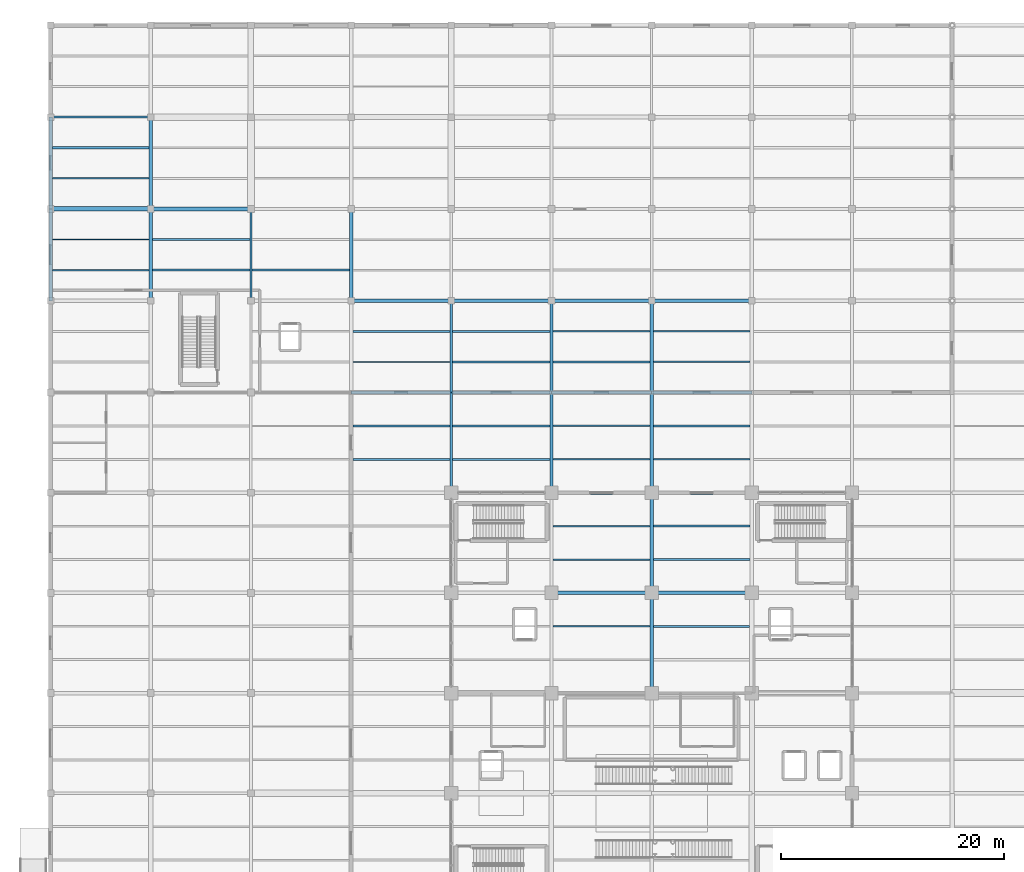
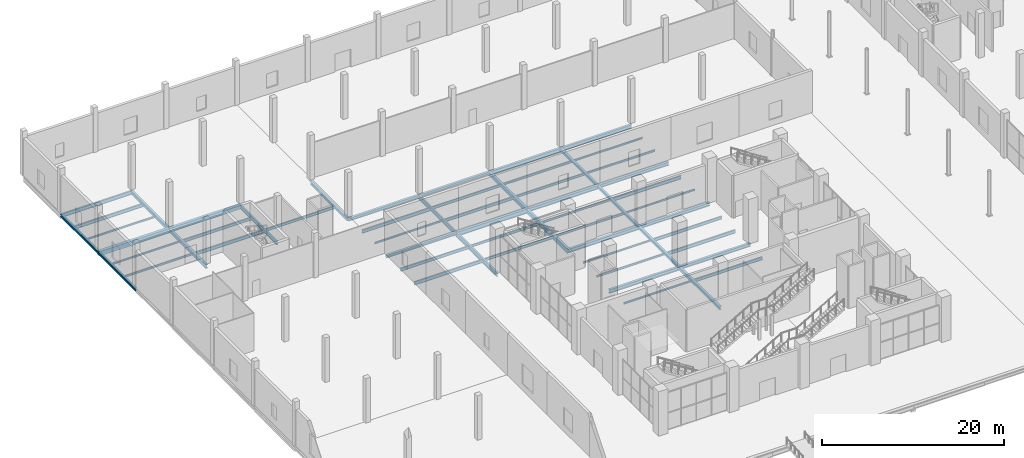
# One storey, part 59 of 144: 58 beams.
"""IFC4 building model written with IfcOpenShell, lengths in metres."""

from ifc_helpers import new_model, si_unit, direction, frame, origin, origin_2d, place, context, subcontext, project, spatial, rectangle, i_section, extrude, material, material_profile, profile_set, type_object, element, save


model = new_model("IFC4")

# Units and contexts
model_context = context("Model", 3, precision=1e-05, world=origin(), true_north=direction((0.0, 1.0)))
body_context = subcontext(model_context, "Body", "Model", "MODEL_VIEW")
ifc_project = project(units=[si_unit("LENGTHUNIT", "METRE"), si_unit("AREAUNIT", "SQUARE_METRE"), si_unit("VOLUMEUNIT", "CUBIC_METRE"), si_unit("PLANEANGLEUNIT", "RADIAN"), si_unit("MASSUNIT", "GRAM", prefix="KILO")], contexts=[model_context])

# Site, building, storey
site_placement = place(None, origin())
site = spatial("IfcSite", under=ifc_project, at=site_placement, CompositionType="ELEMENT")
building_placement = place(site_placement, origin())
building = spatial("IfcBuilding", under=site, at=building_placement, Name="Sundgate Opera House", CompositionType="ELEMENT")
storey_placement = place(building_placement, origin())
storey = spatial("IfcBuildingStorey", under=building, at=storey_placement, Name="L00", CompositionType="ELEMENT", Elevation=0.0)

# Beams
ifc_material_1 = material(Name="Steel S355J2", Category="steel")
ifc_material_profile_1 = material_profile(ifc_material_1, i_section(OverallWidth=0.300048828125, OverallDepth=0.330078125, WebThickness=0.009521484375, FlangeThickness=0.0166015625, at=origin_2d()), Name="HEA 340")
ifc_profile_set_1 = profile_set([ifc_material_profile_1], Name="Steel S355J2")
beam_type_1 = type_object("IfcBeamType", Name="BM-GR-HEA340", PredefinedType="BEAM", material=ifc_profile_set_1)
for number, where, z_axis, x_axis, name in (
    (1, (0.0, 103.5, -0.485107421875), (0.0, 1.0, 0.0), (-1.0, 0.0, 0.0), "L00 Primary N-S Girder B0072"),
    (2, (54.0, 87.0, -0.485107421875), (0.0, 1.0, 0.0), (-1.0, 0.0, 0.0), "L00 Primary N-S Girder B0138"),
):
    element("IfcBeam", number, at=place(storey_placement, frame(where, z_axis=z_axis, x_axis=x_axis)), inside=storey, type_object=beam_type_1, Name=name, PredefinedType="BEAM", context=body_context, shape_type="SweptSolid", body=[
        extrude(i_section(OverallWidth=0.300048828125, OverallDepth=0.330078125, WebThickness=0.009521484375, FlangeThickness=0.0166015625, at=origin_2d()), origin(), (0.0, 0.0, 1.0), 8.25),
    ])
ifc_material_2 = material(Name="Steel S355J2", Category="steel")
ifc_material_profile_2 = material_profile(ifc_material_2, i_section(OverallWidth=0.300048828125, OverallDepth=0.35009765625, WebThickness=0.010009765625, FlangeThickness=0.017578125, at=origin_2d()), Name="HEA 360")
ifc_profile_set_2 = profile_set([ifc_material_profile_2], Name="Steel S355J2")
beam_type_2 = type_object("IfcBeamType", Name="BM-GR-HEA360", PredefinedType="BEAM", material=ifc_profile_set_2)
beam_1_placement = place(storey_placement, frame((0.0, 95.25, -0.4951171875), z_axis=(0.0, 1.0, 0.0), x_axis=(-1.0, 0.0, 0.0)))
element("IfcBeam", 3, at=beam_1_placement, inside=storey, type_object=beam_type_2, Name="L00 Primary N-S Girder B0071", PredefinedType="BEAM", context=body_context, shape_type="SweptSolid", body=[
    extrude(i_section(OverallWidth=0.300048828125, OverallDepth=0.35009765625, WebThickness=0.010009765625, FlangeThickness=0.017578125, at=origin_2d()), origin(), (0.0, 0.0, 1.0), 8.25),
])
beam_2_placement = place(storey_placement, frame((54.0, 78.0, -0.4951171875), z_axis=(0.0, 1.0, 0.0), x_axis=(-1.0, 0.0, 0.0)))
element("IfcBeam", 4, at=beam_2_placement, inside=storey, type_object=beam_type_2, Name="L00 Primary N-S Girder B0137", PredefinedType="BEAM", context=body_context, shape_type="SweptSolid", body=[
    extrude(i_section(OverallWidth=0.300048828125, OverallDepth=0.35009765625, WebThickness=0.010009765625, FlangeThickness=0.017578125, at=origin_2d()), origin(), (0.0, 0.0, 1.0), 9.0),
])
ifc_material_3 = material(Name="Steel S355J2", Category="steel")
ifc_material_profile_3 = material_profile(ifc_material_3, i_section(OverallWidth=0.300048828125, OverallDepth=0.389892578125, WebThickness=0.010986328125, FlangeThickness=0.01904296875, at=origin_2d()), Name="HEA 400")
ifc_profile_set_3 = profile_set([ifc_material_profile_3], Name="Steel S355J2")
beam_type_3 = type_object("IfcBeamType", Name="BM-GR-HEA400", PredefinedType="BEAM", material=ifc_profile_set_3)
beam_3_placement = place(storey_placement, frame((54.0, 69.0, -0.514892578125), z_axis=(0.0, 1.0, 0.0), x_axis=(-1.0, 0.0, 0.0)))
element("IfcBeam", 5, at=beam_3_placement, inside=storey, type_object=beam_type_3, Name="L00 Primary N-S Girder B0136", PredefinedType="BEAM", context=body_context, shape_type="SweptSolid", body=[
    extrude(i_section(OverallWidth=0.300048828125, OverallDepth=0.389892578125, WebThickness=0.010986328125, FlangeThickness=0.01904296875, at=origin_2d()), origin(), (0.0, 0.0, 1.0), 9.0),
])
ifc_material_4 = material(Name="Steel S355J2", Category="steel")
ifc_material_profile_4 = material_profile(ifc_material_4, i_section(OverallWidth=0.300048828125, OverallDepth=0.43994140625, WebThickness=0.011474609375, FlangeThickness=0.02099609375, at=origin_2d()), Name="HEA 450")
ifc_profile_set_4 = profile_set([ifc_material_profile_4], Name="Steel S355J2")
beam_type_4 = type_object("IfcBeamType", Name="BM-GR-HEA450", PredefinedType="BEAM", material=ifc_profile_set_4)
for number, where, z_axis, x_axis, name in (
    (6, (54.0, 60.0, -0.5400390625), (0.0, 1.0, 0.0), (-1.0, 0.0, 0.0), "L00 Primary N-S Girder B0135"),
    (7, (54.0, 69.0, -0.5400390625), (1.0, 0.0, 0.0), (0.0, 1.0, 0.0), "L00 Primary E-W Girder B0464"),
    (8, (54.0, 78.0, -0.5400390625), (1.0, 0.0, 0.0), (0.0, 1.0, 0.0), "L00 Primary E-W Girder B0486"),
    (9, (54.0, 87.0, -0.5400390625), (1.0, 0.0, 0.0), (0.0, 1.0, 0.0), "L00 Primary E-W Girder B0508"),
):
    element("IfcBeam", number, at=place(storey_placement, frame(where, z_axis=z_axis, x_axis=x_axis)), inside=storey, type_object=beam_type_4, Name=name, PredefinedType="BEAM", context=body_context, shape_type="SweptSolid", body=[
        extrude(i_section(OverallWidth=0.300048828125, OverallDepth=0.43994140625, WebThickness=0.011474609375, FlangeThickness=0.02099609375, at=origin_2d()), origin(), (0.0, 0.0, 1.0), 9.0),
    ])
ifc_material_5 = material(Name="Steel S355J2", Category="steel")
ifc_material_profile_5 = material_profile(ifc_material_5, i_section(OverallWidth=0.300048828125, OverallDepth=0.489990234375, WebThickness=0.011962890625, FlangeThickness=0.02294921875, at=origin_2d()), Name="HEA 500")
ifc_profile_set_5 = profile_set([ifc_material_profile_5], Name="Steel S355J2")
beam_type_5 = type_object("IfcBeamType", Name="BM-GR-HEA500", PredefinedType="BEAM", material=ifc_profile_set_5)
for number, where, z_axis, x_axis, name in (
    (10, (45.0, 69.0, -0.56494140625), (1.0, 0.0, 0.0), (0.0, 1.0, 0.0), "L00 Primary E-W Girder B0463"),
    (11, (45.0, 78.0, -0.56494140625), (1.0, 0.0, 0.0), (0.0, 1.0, 0.0), "L00 Primary E-W Girder B0485"),
    (12, (45.0, 87.0, -0.56494140625), (1.0, 0.0, 0.0), (0.0, 1.0, 0.0), "L00 Primary E-W Girder B0507"),
    (13, (54.0, 95.25, -0.56494140625), (1.0, 0.0, 0.0), (0.0, 1.0, 0.0), "L00 Primary E-W Girder B0529"),
):
    element("IfcBeam", number, at=place(storey_placement, frame(where, z_axis=z_axis, x_axis=x_axis)), inside=storey, type_object=beam_type_5, Name=name, PredefinedType="BEAM", context=body_context, shape_type="SweptSolid", body=[
        extrude(i_section(OverallWidth=0.300048828125, OverallDepth=0.489990234375, WebThickness=0.011962890625, FlangeThickness=0.02294921875, at=origin_2d()), origin(), (0.0, 0.0, 1.0), 9.0),
    ])
ifc_material_6 = material(Name="Steel S355J2", Category="steel")
ifc_material_profile_6 = material_profile(ifc_material_6, i_section(OverallWidth=0.300048828125, OverallDepth=0.590087890625, WebThickness=0.012939453125, FlangeThickness=0.02490234375, at=origin_2d()), Name="HEA 600")
ifc_profile_set_6 = profile_set([ifc_material_profile_6], Name="Steel S355J2")
beam_type_6 = type_object("IfcBeamType", Name="BM-GR-HEA600", PredefinedType="BEAM", material=ifc_profile_set_6)
for number, where, z_axis, x_axis, name in (
    (14, (36.0, 87.0, -0.614990234375), (1.0, 0.0, 0.0), (0.0, 1.0, 0.0), "L00 Primary E-W Girder B0506"),
    (15, (45.0, 95.25, -0.614990234375), (1.0, 0.0, 0.0), (0.0, 1.0, 0.0), "L00 Primary E-W Girder B0528"),
):
    element("IfcBeam", number, at=place(storey_placement, frame(where, z_axis=z_axis, x_axis=x_axis)), inside=storey, type_object=beam_type_6, Name=name, PredefinedType="BEAM", context=body_context, shape_type="SweptSolid", body=[
        extrude(i_section(OverallWidth=0.300048828125, OverallDepth=0.590087890625, WebThickness=0.012939453125, FlangeThickness=0.02490234375, at=origin_2d()), origin(), (0.0, 0.0, 1.0), 9.0),
    ])
ifc_material_7 = material(Name="Steel S355J2", Category="steel")
ifc_material_profile_7 = material_profile(ifc_material_7, i_section(OverallWidth=0.300048828125, OverallDepth=0.360107421875, WebThickness=0.012451171875, FlangeThickness=0.0224609375, at=origin_2d()), Name="HEB 360")
ifc_profile_set_7 = profile_set([ifc_material_profile_7], Name="Steel S355J2")
beam_type_7 = type_object("IfcBeamType", Name="BM-GR-HEB360", PredefinedType="BEAM", material=ifc_profile_set_7)
for number, where, z_axis, x_axis, name in (
    (16, (27.0, 87.0, -0.5), (1.0, 0.0, 0.0), (0.0, 1.0, 0.0), "L00 Primary E-W Girder B0505"),
    (17, (36.0, 95.25, -0.5), (1.0, 0.0, 0.0), (0.0, 1.0, 0.0), "L00 Primary E-W Girder B0527"),
):
    element("IfcBeam", number, at=place(storey_placement, frame(where, z_axis=z_axis, x_axis=x_axis)), inside=storey, type_object=beam_type_7, Name=name, PredefinedType="BEAM", context=body_context, shape_type="SweptSolid", body=[
        extrude(i_section(OverallWidth=0.300048828125, OverallDepth=0.360107421875, WebThickness=0.012451171875, FlangeThickness=0.0224609375, at=origin_2d()), origin(), (0.0, 0.0, 1.0), 9.0),
    ])
ifc_material_8 = material(Name="Steel S355J2", Category="steel")
ifc_material_profile_8 = material_profile(ifc_material_8, i_section(OverallWidth=0.300048828125, OverallDepth=0.39990234375, WebThickness=0.013427734375, FlangeThickness=0.02392578125, at=origin_2d()), Name="HEB 400")
ifc_profile_set_8 = profile_set([ifc_material_profile_8], Name="Steel S355J2")
beam_type_8 = type_object("IfcBeamType", Name="BM-GR-HEB400", PredefinedType="BEAM", material=ifc_profile_set_8)
beam_4_placement = place(storey_placement, frame((27.0, 95.25, -0.52001953125), z_axis=(0.0, 1.0, 0.0), x_axis=(-1.0, 0.0, 0.0)))
element("IfcBeam", 18, at=beam_4_placement, inside=storey, type_object=beam_type_8, Name="L00 Primary N-S Girder B0109", PredefinedType="BEAM", context=body_context, shape_type="SweptSolid", body=[
    extrude(i_section(OverallWidth=0.300048828125, OverallDepth=0.39990234375, WebThickness=0.013427734375, FlangeThickness=0.02392578125, at=origin_2d()), origin(), (0.0, 0.0, 1.0), 8.25),
])
beam_5_placement = place(storey_placement, frame((27.0, 95.25, -0.52001953125), z_axis=(1.0, 0.0, 0.0), x_axis=(0.0, 1.0, 0.0)))
element("IfcBeam", 19, at=beam_5_placement, inside=storey, type_object=beam_type_8, Name="L00 Primary E-W Girder B0526", PredefinedType="BEAM", context=body_context, shape_type="SweptSolid", body=[
    extrude(i_section(OverallWidth=0.300048828125, OverallDepth=0.39990234375, WebThickness=0.013427734375, FlangeThickness=0.02392578125, at=origin_2d()), origin(), (0.0, 0.0, 1.0), 9.0),
])
ifc_material_9 = material(Name="Steel S355J2", Category="steel")
ifc_material_profile_9 = material_profile(ifc_material_9, i_section(OverallWidth=0.300048828125, OverallDepth=0.449951171875, WebThickness=0.013916015625, FlangeThickness=0.02587890625, at=origin_2d()), Name="HEB 450")
ifc_profile_set_9 = profile_set([ifc_material_profile_9], Name="Steel S355J2")
beam_type_9 = type_object("IfcBeamType", Name="BM-GR-HEB450", PredefinedType="BEAM", material=ifc_profile_set_9)
beam_6_placement = place(storey_placement, frame((9.0, 103.5, -0.544921875), z_axis=(0.0, 1.0, 0.0), x_axis=(-1.0, 0.0, 0.0)))
element("IfcBeam", 20, at=beam_6_placement, inside=storey, type_object=beam_type_9, Name="L00 Primary N-S Girder B0086", PredefinedType="BEAM", context=body_context, shape_type="SweptSolid", body=[
    extrude(i_section(OverallWidth=0.300048828125, OverallDepth=0.449951171875, WebThickness=0.013916015625, FlangeThickness=0.02587890625, at=origin_2d()), origin(), (0.0, 0.0, 1.0), 8.25),
])
ifc_material_10 = material(Name="Steel S355J2", Category="steel")
ifc_material_profile_10 = material_profile(ifc_material_10, i_section(OverallWidth=0.300048828125, OverallDepth=0.5, WebThickness=0.014404296875, FlangeThickness=0.028076171875, at=origin_2d()), Name="HEB 500")
ifc_profile_set_10 = profile_set([ifc_material_profile_10], Name="Steel S355J2")
beam_type_10 = type_object("IfcBeamType", Name="BM-GR-HEB500", PredefinedType="BEAM", material=ifc_profile_set_10)
beam_7_placement = place(storey_placement, frame((9.0, 95.25, -0.570068359375), z_axis=(0.0, 1.0, 0.0), x_axis=(-1.0, 0.0, 0.0)))
element("IfcBeam", 21, at=beam_7_placement, inside=storey, type_object=beam_type_10, Name="L00 Primary N-S Girder B0085", PredefinedType="BEAM", context=body_context, shape_type="SweptSolid", body=[
    extrude(i_section(OverallWidth=0.300048828125, OverallDepth=0.5, WebThickness=0.014404296875, FlangeThickness=0.028076171875, at=origin_2d()), origin(), (0.0, 0.0, 1.0), 8.25),
])
ifc_material_11 = material(Name="Steel S355J2", Category="steel")
ifc_material_profile_11 = material_profile(ifc_material_11, i_section(OverallWidth=0.300048828125, OverallDepth=0.550048828125, WebThickness=0.014892578125, FlangeThickness=0.029052734375, at=origin_2d()), Name="HEB 550")
ifc_profile_set_11 = profile_set([ifc_material_profile_11], Name="Steel S355J2")
beam_type_11 = type_object("IfcBeamType", Name="BM-GR-HEB550", PredefinedType="BEAM", material=ifc_profile_set_11)
beam_8_placement = place(storey_placement, frame((45.0, 87.0, -0.594970703125), z_axis=(0.0, 1.0, 0.0), x_axis=(-1.0, 0.0, 0.0)))
element("IfcBeam", 22, at=beam_8_placement, inside=storey, type_object=beam_type_11, Name="L00 Primary N-S Girder B0128", PredefinedType="BEAM", context=body_context, shape_type="SweptSolid", body=[
    extrude(i_section(OverallWidth=0.300048828125, OverallDepth=0.550048828125, WebThickness=0.014892578125, FlangeThickness=0.029052734375, at=origin_2d()), origin(), (0.0, 0.0, 1.0), 8.25),
])
ifc_material_12 = material(Name="Steel S355J2", Category="steel")
ifc_material_profile_12 = material_profile(ifc_material_12, i_section(OverallWidth=0.300048828125, OverallDepth=0.60009765625, WebThickness=0.015380859375, FlangeThickness=0.030029296875, at=origin_2d()), Name="HEB 600")
ifc_profile_set_12 = profile_set([ifc_material_profile_12], Name="Steel S355J2")
beam_type_12 = type_object("IfcBeamType", Name="BM-GR-HEB600", PredefinedType="BEAM", material=ifc_profile_set_12)
beam_9_placement = place(storey_placement, frame((45.0, 78.0, -0.6201171875), z_axis=(0.0, 1.0, 0.0), x_axis=(-1.0, 0.0, 0.0)))
element("IfcBeam", 23, at=beam_9_placement, inside=storey, type_object=beam_type_12, Name="L00 Primary N-S Girder B0127", PredefinedType="BEAM", context=body_context, shape_type="SweptSolid", body=[
    extrude(i_section(OverallWidth=0.300048828125, OverallDepth=0.60009765625, WebThickness=0.015380859375, FlangeThickness=0.030029296875, at=origin_2d()), origin(), (0.0, 0.0, 1.0), 9.0),
])
ifc_material_13 = material(Name="Steel S355J2", Category="steel")
ifc_material_profile_13 = material_profile(ifc_material_13, i_section(OverallWidth=0.199951171875, OverallDepth=0.5, WebThickness=0.01025390625, FlangeThickness=0.01611328125, at=origin_2d()), Name="IPE 500")
ifc_profile_set_13 = profile_set([ifc_material_profile_13], Name="Steel S355J2")
beam_type_13 = type_object("IfcBeamType", Name="BM-GR-IPE500", PredefinedType="BEAM", material=ifc_profile_set_13)
beam_10_placement = place(storey_placement, frame((18.0, 95.25, -0.570068359375), z_axis=(0.0, 1.0, 0.0), x_axis=(-1.0, 0.0, 0.0)))
element("IfcBeam", 24, at=beam_10_placement, inside=storey, type_object=beam_type_13, Name="L00 Primary N-S Girder B0097", PredefinedType="BEAM", context=body_context, shape_type="SweptSolid", body=[
    extrude(i_section(OverallWidth=0.199951171875, OverallDepth=0.5, WebThickness=0.01025390625, FlangeThickness=0.01611328125, at=origin_2d()), origin(), (0.0, 0.0, 1.0), 8.25),
])
beam_11_placement = place(storey_placement, frame((0.0, 111.75, -0.570068359375), z_axis=(1.0, 0.0, 0.0), x_axis=(0.0, 1.0, 0.0)))
element("IfcBeam", 25, at=beam_11_placement, inside=storey, type_object=beam_type_13, Name="L00 Primary E-W Girder B0558", PredefinedType="BEAM", context=body_context, shape_type="SweptSolid", body=[
    extrude(i_section(OverallWidth=0.199951171875, OverallDepth=0.5, WebThickness=0.01025390625, FlangeThickness=0.01611328125, at=origin_2d()), origin(), (0.0, 0.0, 1.0), 9.0),
])
ifc_material_14 = material(Name="Steel S355J2", Category="steel")
ifc_material_profile_14 = material_profile(ifc_material_14, i_section(OverallWidth=0.2099609375, OverallDepth=0.550048828125, WebThickness=0.010986328125, FlangeThickness=0.01708984375, at=origin_2d()), Name="IPE 550")
ifc_profile_set_14 = profile_set([ifc_material_profile_14], Name="Steel S355J2")
beam_type_14 = type_object("IfcBeamType", Name="BM-GR-IPE550", PredefinedType="BEAM", material=ifc_profile_set_14)
beam_12_placement = place(storey_placement, frame((36.0, 87.0, -0.594970703125), z_axis=(0.0, 1.0, 0.0), x_axis=(-1.0, 0.0, 0.0)))
element("IfcBeam", 26, at=beam_12_placement, inside=storey, type_object=beam_type_14, Name="L00 Primary N-S Girder B0118", PredefinedType="BEAM", context=body_context, shape_type="SweptSolid", body=[
    extrude(i_section(OverallWidth=0.2099609375, OverallDepth=0.550048828125, WebThickness=0.010986328125, FlangeThickness=0.01708984375, at=origin_2d()), origin(), (0.0, 0.0, 1.0), 8.25),
])
ifc_material_15 = material(Name="Steel S355J2", Category="steel")
ifc_material_profile_15 = material_profile(ifc_material_15, i_section(OverallWidth=0.219970703125, OverallDepth=0.60009765625, WebThickness=0.011962890625, FlangeThickness=0.01904296875, at=origin_2d()), Name="IPE 600")
ifc_profile_set_15 = profile_set([ifc_material_profile_15], Name="Steel S355J2")
beam_type_15 = type_object("IfcBeamType", Name="BM-GR-IPE600", PredefinedType="BEAM", material=ifc_profile_set_15)
beam_13_placement = place(storey_placement, frame((36.0, 78.0, -0.6201171875), z_axis=(0.0, 1.0, 0.0), x_axis=(-1.0, 0.0, 0.0)))
element("IfcBeam", 27, at=beam_13_placement, inside=storey, type_object=beam_type_15, Name="L00 Primary N-S Girder B0117", PredefinedType="BEAM", context=body_context, shape_type="SweptSolid", body=[
    extrude(i_section(OverallWidth=0.219970703125, OverallDepth=0.60009765625, WebThickness=0.011962890625, FlangeThickness=0.01904296875, at=origin_2d()), origin(), (0.0, 0.0, 1.0), 9.0),
])
ifc_material_16 = material(Name="Steel S355J2", Category="steel")
ifc_material_profile_16 = material_profile(ifc_material_16, i_section(OverallWidth=0.1201171875, OverallDepth=0.239990234375, WebThickness=0.006103515625, FlangeThickness=0.009765625, at=origin_2d()), Name="IPE 240")
ifc_profile_set_16 = profile_set([ifc_material_profile_16], Name="Steel S355J2")
beam_type_16 = type_object("IfcBeamType", Name="BM-JS-IPE240", PredefinedType="JOIST", material=ifc_profile_set_16)
for number, where, z_axis, x_axis, name in (
    (28, (45.14990234375, 66.0, -0.43994140625), (1.0, 0.0, 0.0), (0.0, 1.0, 0.0), "L00 Secondary Floor Joist B0811"),
    (29, (45.14990234375, 75.0, -0.43994140625), (1.0, 0.0, 0.0), (0.0, 1.0, 0.0), "L00 Secondary Floor Joist B0846"),
    (30, (54.14990234375, 81.0, -0.43994140625), (1.0, 0.0, 0.0), (0.0, 1.0, 0.0), "L00 Secondary Floor Joist B0888"),
):
    element("IfcBeam", number, at=place(storey_placement, frame(where, z_axis=z_axis, x_axis=x_axis)), inside=storey, type_object=beam_type_16, Name=name, PredefinedType="JOIST", context=body_context, shape_type="SweptSolid", body=[
        extrude(i_section(OverallWidth=0.1201171875, OverallDepth=0.239990234375, WebThickness=0.006103515625, FlangeThickness=0.009765625, at=origin_2d()), origin(), (0.0, 0.0, 1.0), 8.7001953125),
    ])
beam_14_placement = place(storey_placement, frame((27.14990234375, 89.75, -0.43994140625), z_axis=(1.0, 0.0, 0.0), x_axis=(0.0, 1.0, 0.0)))
element("IfcBeam", 31, at=beam_14_placement, inside=storey, type_object=beam_type_16, Name="L00 Secondary Floor Joist B0923", PredefinedType="JOIST", context=body_context, shape_type="SweptSolid", body=[
    extrude(i_section(OverallWidth=0.1201171875, OverallDepth=0.239990234375, WebThickness=0.006103515625, FlangeThickness=0.009765625, at=origin_2d()), origin(), (0.0, 0.0, 1.0), 8.7451171875),
])
for number, where, z_axis, x_axis, name in (
    (32, (54.14990234375, 92.5, -0.43994140625), (1.0, 0.0, 0.0), (0.0, 1.0, 0.0), "L00 Secondary Floor Joist B0930"),
    (33, (0.14990234375, 100.75, -0.43994140625), (1.0, 0.0, 0.0), (0.0, 1.0, 0.0), "L00 Secondary Floor Joist B0951"),
    (34, (0.14990234375, 106.25, -0.43994140625), (1.0, 0.0, 0.0), (0.0, 1.0, 0.0), "L00 Secondary Floor Joist B0986"),
):
    element("IfcBeam", number, at=place(storey_placement, frame(where, z_axis=z_axis, x_axis=x_axis)), inside=storey, type_object=beam_type_16, Name=name, PredefinedType="JOIST", context=body_context, shape_type="SweptSolid", body=[
        extrude(i_section(OverallWidth=0.1201171875, OverallDepth=0.239990234375, WebThickness=0.006103515625, FlangeThickness=0.009765625, at=origin_2d()), origin(), (0.0, 0.0, 1.0), 8.7001953125),
    ])
ifc_material_17 = material(Name="Steel S355J2", Category="steel")
ifc_material_profile_17 = material_profile(ifc_material_17, i_section(OverallWidth=0.135009765625, OverallDepth=0.27001953125, WebThickness=0.006591796875, FlangeThickness=0.01025390625, at=origin_2d()), Name="IPE 270")
ifc_profile_set_17 = profile_set([ifc_material_profile_17], Name="Steel S355J2")
beam_type_17 = type_object("IfcBeamType", Name="BM-JS-IPE270", PredefinedType="JOIST", material=ifc_profile_set_17)
for number, where, z_axis, x_axis, name in (
    (35, (45.14990234375, 72.0, -0.455078125), (1.0, 0.0, 0.0), (0.0, 1.0, 0.0), "L00 Secondary Floor Joist B0845"),
    (36, (45.14990234375, 84.0, -0.455078125), (1.0, 0.0, 0.0), (0.0, 1.0, 0.0), "L00 Secondary Floor Joist B0887"),
    (37, (54.14990234375, 89.75, -0.455078125), (1.0, 0.0, 0.0), (0.0, 1.0, 0.0), "L00 Secondary Floor Joist B0929"),
    (38, (0.14990234375, 98.0, -0.455078125), (1.0, 0.0, 0.0), (0.0, 1.0, 0.0), "L00 Secondary Floor Joist B0950"),
):
    element("IfcBeam", number, at=place(storey_placement, frame(where, z_axis=z_axis, x_axis=x_axis)), inside=storey, type_object=beam_type_17, Name=name, PredefinedType="JOIST", context=body_context, shape_type="SweptSolid", body=[
        extrude(i_section(OverallWidth=0.135009765625, OverallDepth=0.27001953125, WebThickness=0.006591796875, FlangeThickness=0.01025390625, at=origin_2d()), origin(), (0.0, 0.0, 1.0), 8.7001953125),
    ])
ifc_material_18 = material(Name="Steel S355J2", Category="steel")
ifc_material_profile_18 = material_profile(ifc_material_18, i_section(OverallWidth=0.14990234375, OverallDepth=0.300048828125, WebThickness=0.007080078125, FlangeThickness=0.0107421875, at=origin_2d()), Name="IPE 300")
ifc_profile_set_18 = profile_set([ifc_material_profile_18], Name="Steel S355J2")
beam_type_18 = type_object("IfcBeamType", Name="BM-JS-IPE300", PredefinedType="JOIST", material=ifc_profile_set_18)
for number, where, z_axis, x_axis, name in (
    (39, (45.14990234375, 81.0, -0.469970703125), (1.0, 0.0, 0.0), (0.0, 1.0, 0.0), "L00 Secondary Floor Joist B0886"),
    (40, (45.14990234375, 92.5, -0.469970703125), (1.0, 0.0, 0.0), (0.0, 1.0, 0.0), "L00 Secondary Floor Joist B0928"),
):
    element("IfcBeam", number, at=place(storey_placement, frame(where, z_axis=z_axis, x_axis=x_axis)), inside=storey, type_object=beam_type_18, Name=name, PredefinedType="JOIST", context=body_context, shape_type="SweptSolid", body=[
        extrude(i_section(OverallWidth=0.14990234375, OverallDepth=0.300048828125, WebThickness=0.007080078125, FlangeThickness=0.0107421875, at=origin_2d()), origin(), (0.0, 0.0, 1.0), 8.7001953125),
    ])
ifc_material_19 = material(Name="Steel S355J2", Category="steel")
ifc_material_profile_19 = material_profile(ifc_material_19, i_section(OverallWidth=0.159912109375, OverallDepth=0.330078125, WebThickness=0.007568359375, FlangeThickness=0.011474609375, at=origin_2d()), Name="IPE 330")
ifc_profile_set_19 = profile_set([ifc_material_profile_19], Name="Steel S355J2")
beam_type_19 = type_object("IfcBeamType", Name="BM-JS-IPE330", PredefinedType="JOIST", material=ifc_profile_set_19)
beam_15_placement = place(storey_placement, frame((36.110107421875, 84.0, -0.485107421875), z_axis=(1.0, 0.0, 0.0), x_axis=(0.0, 1.0, 0.0)))
element("IfcBeam", 41, at=beam_15_placement, inside=storey, type_object=beam_type_19, Name="L00 Secondary Floor Joist B0885", PredefinedType="JOIST", context=body_context, shape_type="SweptSolid", body=[
    extrude(i_section(OverallWidth=0.159912109375, OverallDepth=0.330078125, WebThickness=0.007568359375, FlangeThickness=0.011474609375, at=origin_2d()), origin(), (0.0, 0.0, 1.0), 8.739990234375),
])
beam_16_placement = place(storey_placement, frame((45.14990234375, 89.75, -0.485107421875), z_axis=(1.0, 0.0, 0.0), x_axis=(0.0, 1.0, 0.0)))
element("IfcBeam", 42, at=beam_16_placement, inside=storey, type_object=beam_type_19, Name="L00 Secondary Floor Joist B0927", PredefinedType="JOIST", context=body_context, shape_type="SweptSolid", body=[
    extrude(i_section(OverallWidth=0.159912109375, OverallDepth=0.330078125, WebThickness=0.007568359375, FlangeThickness=0.011474609375, at=origin_2d()), origin(), (0.0, 0.0, 1.0), 8.7001953125),
])
ifc_material_20 = material(Name="Steel S355J2", Category="steel")
ifc_material_profile_20 = material_profile(ifc_material_20, i_section(OverallWidth=0.169921875, OverallDepth=0.360107421875, WebThickness=0.008056640625, FlangeThickness=0.0126953125, at=origin_2d()), Name="IPE 360")
ifc_profile_set_20 = profile_set([ifc_material_profile_20], Name="Steel S355J2")
beam_type_20 = type_object("IfcBeamType", Name="BM-JS-IPE360", PredefinedType="JOIST", material=ifc_profile_set_20)
beam_17_placement = place(storey_placement, frame((36.110107421875, 81.0, -0.5), z_axis=(1.0, 0.0, 0.0), x_axis=(0.0, 1.0, 0.0)))
element("IfcBeam", 43, at=beam_17_placement, inside=storey, type_object=beam_type_20, Name="L00 Secondary Floor Joist B0884", PredefinedType="JOIST", context=body_context, shape_type="SweptSolid", body=[
    extrude(i_section(OverallWidth=0.169921875, OverallDepth=0.360107421875, WebThickness=0.008056640625, FlangeThickness=0.0126953125, at=origin_2d()), origin(), (0.0, 0.0, 1.0), 8.739990234375),
])
beam_18_placement = place(storey_placement, frame((36.10498046875, 92.5, -0.5), z_axis=(1.0, 0.0, 0.0), x_axis=(0.0, 1.0, 0.0)))
element("IfcBeam", 44, at=beam_18_placement, inside=storey, type_object=beam_type_20, Name="L00 Secondary Floor Joist B0926", PredefinedType="JOIST", context=body_context, shape_type="SweptSolid", body=[
    extrude(i_section(OverallWidth=0.169921875, OverallDepth=0.360107421875, WebThickness=0.008056640625, FlangeThickness=0.0126953125, at=origin_2d()), origin(), (0.0, 0.0, 1.0), 8.7451171875),
])
beam_19_placement = place(storey_placement, frame((18.10009765625, 98.0, -0.5), z_axis=(1.0, 0.0, 0.0), x_axis=(0.0, 1.0, 0.0)))
element("IfcBeam", 45, at=beam_19_placement, inside=storey, type_object=beam_type_20, Name="L00 Secondary Floor Joist B0954", PredefinedType="JOIST", context=body_context, shape_type="SweptSolid", body=[
    extrude(i_section(OverallWidth=0.169921875, OverallDepth=0.360107421875, WebThickness=0.008056640625, FlangeThickness=0.0126953125, at=origin_2d()), origin(), (0.0, 0.0, 1.0), 8.75),
])
ifc_material_21 = material(Name="Steel S355J2", Category="steel")
ifc_material_profile_21 = material_profile(ifc_material_21, i_section(OverallWidth=0.179931640625, OverallDepth=0.39990234375, WebThickness=0.008544921875, FlangeThickness=0.013427734375, at=origin_2d()), Name="IPE 400")
ifc_profile_set_21 = profile_set([ifc_material_profile_21], Name="Steel S355J2")
beam_type_21 = type_object("IfcBeamType", Name="BM-JS-IPE400", PredefinedType="JOIST", material=ifc_profile_set_21)
beam_20_placement = place(storey_placement, frame((54.14990234375, 66.0, -0.52001953125), z_axis=(1.0, 0.0, 0.0), x_axis=(0.0, 1.0, 0.0)))
element("IfcBeam", 46, at=beam_20_placement, inside=storey, type_object=beam_type_21, Name="L00 Secondary Floor Joist B0813", PredefinedType="JOIST", context=body_context, shape_type="SweptSolid", body=[
    extrude(i_section(OverallWidth=0.179931640625, OverallDepth=0.39990234375, WebThickness=0.008544921875, FlangeThickness=0.013427734375, at=origin_2d()), origin(), (0.0, 0.0, 1.0), 8.650146484375),
])
beam_21_placement = place(storey_placement, frame((54.14990234375, 75.0, -0.52001953125), z_axis=(1.0, 0.0, 0.0), x_axis=(0.0, 1.0, 0.0)))
element("IfcBeam", 47, at=beam_21_placement, inside=storey, type_object=beam_type_21, Name="L00 Secondary Floor Joist B0848", PredefinedType="JOIST", context=body_context, shape_type="SweptSolid", body=[
    extrude(i_section(OverallWidth=0.179931640625, OverallDepth=0.39990234375, WebThickness=0.008544921875, FlangeThickness=0.013427734375, at=origin_2d()), origin(), (0.0, 0.0, 1.0), 8.675048828125),
])
beam_22_placement = place(storey_placement, frame((27.14990234375, 84.0, -0.52001953125), z_axis=(1.0, 0.0, 0.0), x_axis=(0.0, 1.0, 0.0)))
element("IfcBeam", 48, at=beam_22_placement, inside=storey, type_object=beam_type_21, Name="L00 Secondary Floor Joist B0883", PredefinedType="JOIST", context=body_context, shape_type="SweptSolid", body=[
    extrude(i_section(OverallWidth=0.179931640625, OverallDepth=0.39990234375, WebThickness=0.008544921875, FlangeThickness=0.013427734375, at=origin_2d()), origin(), (0.0, 0.0, 1.0), 8.739990234375),
])
beam_23_placement = place(storey_placement, frame((36.10498046875, 89.75, -0.52001953125), z_axis=(1.0, 0.0, 0.0), x_axis=(0.0, 1.0, 0.0)))
element("IfcBeam", 49, at=beam_23_placement, inside=storey, type_object=beam_type_21, Name="L00 Secondary Floor Joist B0925", PredefinedType="JOIST", context=body_context, shape_type="SweptSolid", body=[
    extrude(i_section(OverallWidth=0.179931640625, OverallDepth=0.39990234375, WebThickness=0.008544921875, FlangeThickness=0.013427734375, at=origin_2d()), origin(), (0.0, 0.0, 1.0), 8.7451171875),
])
beam_24_placement = place(storey_placement, frame((9.14990234375, 100.75, -0.52001953125), z_axis=(1.0, 0.0, 0.0), x_axis=(0.0, 1.0, 0.0)))
element("IfcBeam", 50, at=beam_24_placement, inside=storey, type_object=beam_type_21, Name="L00 Secondary Floor Joist B0953", PredefinedType="JOIST", context=body_context, shape_type="SweptSolid", body=[
    extrude(i_section(OverallWidth=0.179931640625, OverallDepth=0.39990234375, WebThickness=0.008544921875, FlangeThickness=0.013427734375, at=origin_2d()), origin(), (0.0, 0.0, 1.0), 8.75),
])
ifc_material_22 = material(Name="Steel S355J2", Category="steel")
ifc_material_profile_22 = material_profile(ifc_material_22, i_section(OverallWidth=0.18994140625, OverallDepth=0.449951171875, WebThickness=0.009521484375, FlangeThickness=0.0146484375, at=origin_2d()), Name="IPE 450")
ifc_profile_set_22 = profile_set([ifc_material_profile_22], Name="Steel S355J2")
beam_type_22 = type_object("IfcBeamType", Name="BM-JS-IPE450", PredefinedType="JOIST", material=ifc_profile_set_22)
beam_25_placement = place(storey_placement, frame((54.14990234375, 72.0, -0.544921875), z_axis=(1.0, 0.0, 0.0), x_axis=(0.0, 1.0, 0.0)))
element("IfcBeam", 51, at=beam_25_placement, inside=storey, type_object=beam_type_22, Name="L00 Secondary Floor Joist B0847", PredefinedType="JOIST", context=body_context, shape_type="SweptSolid", body=[
    extrude(i_section(OverallWidth=0.18994140625, OverallDepth=0.449951171875, WebThickness=0.009521484375, FlangeThickness=0.0146484375, at=origin_2d()), origin(), (0.0, 0.0, 1.0), 8.675048828125),
])
beam_26_placement = place(storey_placement, frame((27.14990234375, 81.0, -0.544921875), z_axis=(1.0, 0.0, 0.0), x_axis=(0.0, 1.0, 0.0)))
element("IfcBeam", 52, at=beam_26_placement, inside=storey, type_object=beam_type_22, Name="L00 Secondary Floor Joist B0882", PredefinedType="JOIST", context=body_context, shape_type="SweptSolid", body=[
    extrude(i_section(OverallWidth=0.18994140625, OverallDepth=0.449951171875, WebThickness=0.009521484375, FlangeThickness=0.0146484375, at=origin_2d()), origin(), (0.0, 0.0, 1.0), 8.739990234375),
])
beam_27_placement = place(storey_placement, frame((54.14990234375, 84.0, -0.544921875), z_axis=(1.0, 0.0, 0.0), x_axis=(0.0, 1.0, 0.0)))
element("IfcBeam", 53, at=beam_27_placement, inside=storey, type_object=beam_type_22, Name="L00 Secondary Floor Joist B0889", PredefinedType="JOIST", context=body_context, shape_type="SweptSolid", body=[
    extrude(i_section(OverallWidth=0.18994140625, OverallDepth=0.449951171875, WebThickness=0.009521484375, FlangeThickness=0.0146484375, at=origin_2d()), origin(), (0.0, 0.0, 1.0), 8.7001953125),
])
beam_28_placement = place(storey_placement, frame((27.14990234375, 92.5, -0.544921875), z_axis=(1.0, 0.0, 0.0), x_axis=(0.0, 1.0, 0.0)))
element("IfcBeam", 54, at=beam_28_placement, inside=storey, type_object=beam_type_22, Name="L00 Secondary Floor Joist B0924", PredefinedType="JOIST", context=body_context, shape_type="SweptSolid", body=[
    extrude(i_section(OverallWidth=0.18994140625, OverallDepth=0.449951171875, WebThickness=0.009521484375, FlangeThickness=0.0146484375, at=origin_2d()), origin(), (0.0, 0.0, 1.0), 8.7451171875),
])
beam_29_placement = place(storey_placement, frame((9.14990234375, 98.0, -0.544921875), z_axis=(1.0, 0.0, 0.0), x_axis=(0.0, 1.0, 0.0)))
element("IfcBeam", 55, at=beam_29_placement, inside=storey, type_object=beam_type_22, Name="L00 Secondary Floor Joist B0952", PredefinedType="JOIST", context=body_context, shape_type="SweptSolid", body=[
    extrude(i_section(OverallWidth=0.18994140625, OverallDepth=0.449951171875, WebThickness=0.009521484375, FlangeThickness=0.0146484375, at=origin_2d()), origin(), (0.0, 0.0, 1.0), 8.75),
])
beam_30_placement = place(storey_placement, frame((0.14990234375, 109.0, -0.544921875), z_axis=(1.0, 0.0, 0.0), x_axis=(0.0, 1.0, 0.0)))
element("IfcBeam", 56, at=beam_30_placement, inside=storey, type_object=beam_type_22, Name="L00 Secondary Floor Joist B0987", PredefinedType="JOIST", context=body_context, shape_type="SweptSolid", body=[
    extrude(i_section(OverallWidth=0.18994140625, OverallDepth=0.449951171875, WebThickness=0.009521484375, FlangeThickness=0.0146484375, at=origin_2d()), origin(), (0.0, 0.0, 1.0), 8.7001953125),
])
ifc_material_23 = material(Name="Concrete C35/45", Category="concrete")
ifc_material_profile_23 = material_profile(ifc_material_23, rectangle(XDim=0.35009765625, YDim=0.550048828125, at=origin_2d()), Name="RC 350x550")
ifc_profile_set_23 = profile_set([ifc_material_profile_23], Name="Concrete C35/45")
beam_type_23 = type_object("IfcBeamType", Name="BM-RC-350x550", PredefinedType="BEAM", material=ifc_profile_set_23)
beam_31_placement = place(storey_placement, frame((9.0, 103.5, -0.594970703125), z_axis=(1.0, 0.0, 0.0), x_axis=(0.0, 1.0, 0.0)))
element("IfcBeam", 57, at=beam_31_placement, inside=storey, type_object=beam_type_23, Name="L00 Primary E-W Girder B0541", PredefinedType="BEAM", context=body_context, shape_type="SweptSolid", body=[
    extrude(rectangle(XDim=0.35009765625, YDim=0.550048828125, at=origin_2d()), origin(), (0.0, 0.0, 1.0), 9.0),
])
ifc_material_24 = material(Name="Concrete C35/45", Category="concrete")
ifc_material_profile_24 = material_profile(ifc_material_24, rectangle(XDim=0.39990234375, YDim=0.60009765625, at=origin_2d()), Name="RC 400x600")
ifc_profile_set_24 = profile_set([ifc_material_profile_24], Name="Concrete C35/45")
beam_type_24 = type_object("IfcBeamType", Name="BM-RC-400x600", PredefinedType="BEAM", material=ifc_profile_set_24)
beam_32_placement = place(storey_placement, frame((0.0, 103.5, -0.6201171875), z_axis=(1.0, 0.0, 0.0), x_axis=(0.0, 1.0, 0.0)))
element("IfcBeam", 58, at=beam_32_placement, inside=storey, type_object=beam_type_24, Name="L00 Primary E-W Girder B0540", PredefinedType="BEAM", context=body_context, shape_type="SweptSolid", body=[
    extrude(rectangle(XDim=0.39990234375, YDim=0.60009765625, at=origin_2d()), origin(), (0.0, 0.0, 1.0), 9.0),
])

save(model, "model.ifc")
